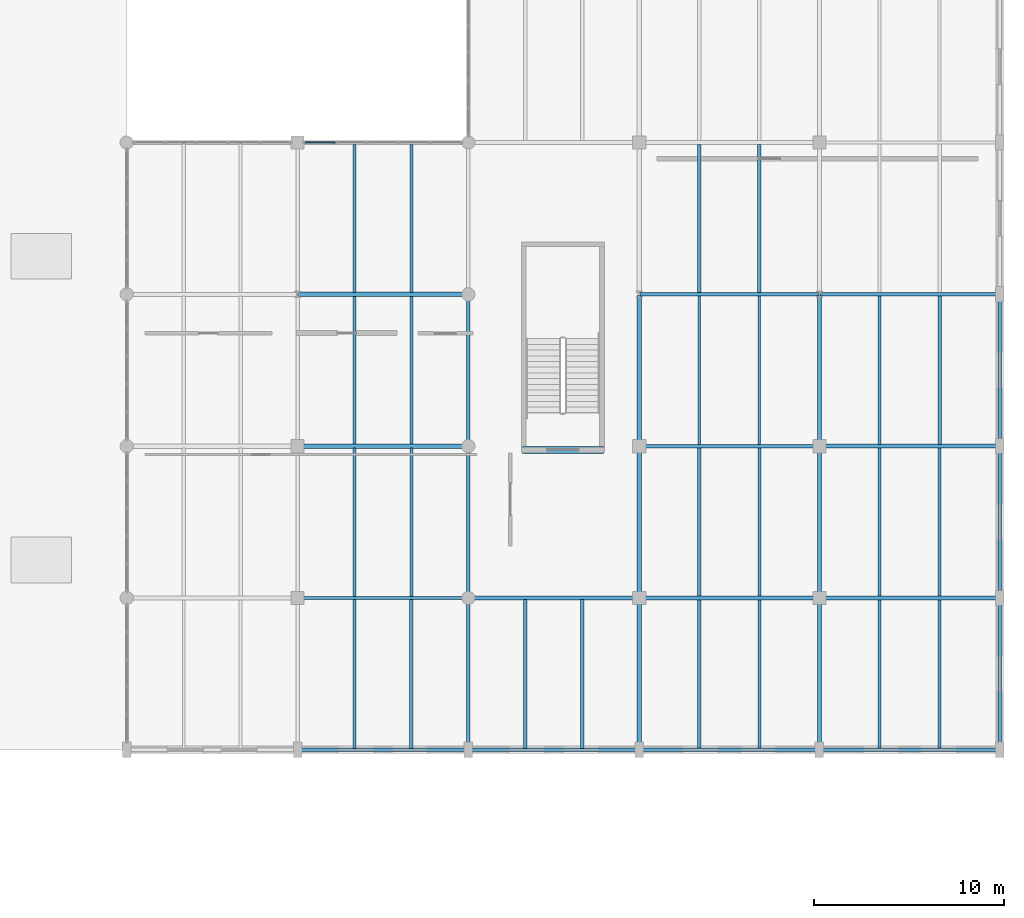
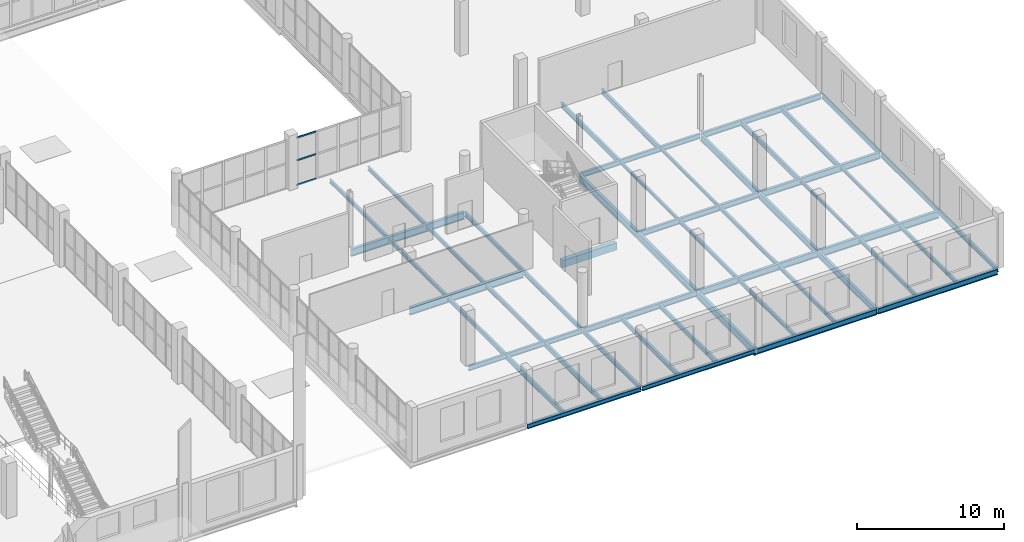
# One storey, part 50 of 93: 51 beams, 3 members, 1 element without a shape of its own.
"""IFC4 building model written with IfcOpenShell, lengths in metres."""

import ifcopenshell
import ifcopenshell.guid

model = None  # the IFC model being written
_history = None  # IfcOwnerHistory: only IFC2X3 demands one
_inside = {}  # id of a spatial element -> (the spatial element, [elements in it])
_under = {}  # id of a project, library or spatial element -> (it, [spatial elements below it])
_declared = {}  # id of a project -> (the project, [libraries it declares])
_typed = {}  # id of a type object -> (the type object, [elements of that type])
_made_of = {}  # id of a material, layer set ... -> (it, [elements and type objects made of it])


def new_model(schema):
    """Start an empty IFC model of exactly this schema.

    Asked for "IFC4X3", IfcOpenShell would pick the latest addendum, in which some entities
    have other attributes; the version numbers below select the first issue.
    IFC2X3 requires an IfcOwnerHistory on every rooted entity: one is made here for all.
    """
    global model, _history
    if schema == "IFC4X3":
        model = ifcopenshell.file(schema_version=(4, 3, 0, 0))
    else:
        model = ifcopenshell.file(schema=schema)
    _inside.clear()
    _under.clear()
    _declared.clear()
    _typed.clear()
    _made_of.clear()
    _history = None
    if model.schema == "IFC2X3":
        org = make("IfcOrganization", Name="unknown")
        user = make(
            "IfcPersonAndOrganization",
            ThePerson=make("IfcPerson", FamilyName="unknown"),
            TheOrganization=org,
        )
        app = make(
            "IfcApplication",
            ApplicationDeveloper=org,
            Version="unknown",
            ApplicationFullName="unknown",
            ApplicationIdentifier="unknown",
        )
        _history = make(
            "IfcOwnerHistory",
            OwningUser=user,
            OwningApplication=app,
            ChangeAction="ADDED",
            CreationDate=0,
        )
    return model


def make(cls, **values):
    """One entity of the class cls with the attributes given. An attribute that is None is left unset."""
    return model.create_entity(
        cls, **{name: value for name, value in values.items() if value is not None}
    )


def rooted(cls, **values):
    """An entity with a GlobalId (a new one), such as an element, a storey or a relation."""
    return make(cls, GlobalId=ifcopenshell.guid.new(), OwnerHistory=_history, **values)


def si_unit(unit_type, name, prefix=None):
    """IfcSIUnit, for example si_unit("LENGTHUNIT", "METRE", prefix="MILLI")."""
    return make("IfcSIUnit", UnitType=unit_type, Prefix=prefix, Name=name)


def assignment(units):
    """IfcUnitAssignment: the units of a project."""
    return None if units is None else make("IfcUnitAssignment", Units=units)


def point(xyz):
    """IfcCartesianPoint."""
    return None if xyz is None else make("IfcCartesianPoint", Coordinates=xyz)


def direction(xyz):
    """IfcDirection."""
    return None if xyz is None else make("IfcDirection", DirectionRatios=xyz)


def frame(location, z_axis=None, x_axis=None):
    """IfcAxis2Placement3D, a coordinate frame: its origin and axes. An axis left out is left unset."""
    return make(
        "IfcAxis2Placement3D",
        Location=point(location),
        Axis=direction(z_axis),
        RefDirection=direction(x_axis),
    )


def frame_2d(location, x_axis=None):
    """IfcAxis2Placement2D, a coordinate frame in the plane: its origin and x axis."""
    return make(
        "IfcAxis2Placement2D", Location=point(location), RefDirection=direction(x_axis)
    )


def origin():
    """The frame at (0, 0, 0) with its axes left unset."""
    return frame((0.0, 0.0, 0.0))


def origin_2d():
    """The frame at (0, 0) in the plane with its x axis left unset."""
    return frame_2d((0.0, 0.0))


def place(relative_to, where):
    """IfcLocalPlacement: puts the frame where relative to a parent placement (None: the world)."""
    return make(
        "IfcLocalPlacement", PlacementRelTo=relative_to, RelativePlacement=where
    )


def context(
    kind, dimensions, precision=None, world=None, true_north=None, identifier=None
):
    """IfcGeometricRepresentationContext, for example the 3D "Model" context."""
    return make(
        "IfcGeometricRepresentationContext",
        ContextIdentifier=identifier,
        ContextType=kind,
        CoordinateSpaceDimension=dimensions,
        Precision=precision,
        WorldCoordinateSystem=world,
        TrueNorth=true_north,
    )


def subcontext(parent, identifier, kind, view, scale=None):
    """IfcGeometricRepresentationSubContext, for example "Body" below "Model"."""
    return make(
        "IfcGeometricRepresentationSubContext",
        ContextIdentifier=identifier,
        ContextType=kind,
        ParentContext=parent,
        TargetScale=scale,
        TargetView=view,
    )


def project(units=None, contexts=None):
    """IfcProject with its units and contexts."""
    return rooted(
        "IfcProject",
        Name="project",
        RepresentationContexts=contexts,
        UnitsInContext=assignment(units),
    )


def spatial(cls, under=None, at=None, **own):
    """A site, building, storey or space (cls), placed at a placement, below another one or the project."""
    s = rooted(cls, ObjectPlacement=at, **own)
    if under is not None:
        _under.setdefault(under.id(), (under, []))[1].append(s)
    return s


def profile(cls, at=None, kind="AREA", **sizes):
    """A parametric profile (cls). Its sizes go by their IFC names, for example OverallWidth=200.0."""
    return make(cls, ProfileType=kind, Position=at, **sizes)


def rectangle(**sizes):
    """IfcRectangleProfileDef."""
    return profile("IfcRectangleProfileDef", **sizes)


def i_section(**sizes):
    """IfcIShapeProfileDef."""
    return profile("IfcIShapeProfileDef", **sizes)


def extrude(swept, where, along, depth):
    """IfcExtrudedAreaSolid: the profile swept, set in the frame where, extruded along a direction by depth."""
    return make(
        "IfcExtrudedAreaSolid",
        SweptArea=swept,
        Position=where,
        ExtrudedDirection=direction(along),
        Depth=depth,
    )


def shape(context_of_items, identifier, shape_type, items):
    """IfcShapeRepresentation: the items that make up one representation, for example the "Body"."""
    return make(
        "IfcShapeRepresentation",
        ContextOfItems=context_of_items,
        RepresentationIdentifier=identifier,
        RepresentationType=shape_type,
        Items=items,
    )


def material(Name=None, Category=None):
    """IfcMaterial."""
    return make("IfcMaterial", Name=Name, Category=Category)


def layer(
    of_material, thickness, ventilated=None, Name=None, Category=None, Priority=None
):
    """IfcMaterialLayer: one layer of a wall or slab, of a material (None: an air gap)."""
    return make(
        "IfcMaterialLayer",
        Material=of_material,
        LayerThickness=thickness,
        IsVentilated=ventilated,
        Name=Name,
        Category=Category,
        Priority=Priority,
    )


def layer_set(layers, Name=None):
    """IfcMaterialLayerSet."""
    return make("IfcMaterialLayerSet", MaterialLayers=layers, LayerSetName=Name)


def material_profile(
    of_material, cross_section, Name=None, Category=None, Priority=None
):
    """IfcMaterialProfile: a cross section and its material."""
    return make(
        "IfcMaterialProfile",
        Name=Name,
        Material=of_material,
        Profile=cross_section,
        Priority=Priority,
        Category=Category,
    )


def profile_set(profiles, Name=None, composite=None):
    """IfcMaterialProfileSet."""
    return make(
        "IfcMaterialProfileSet",
        Name=Name,
        MaterialProfiles=profiles,
        CompositeProfile=composite,
    )


def made_of(thing, what):
    """Note that an element or type object is made of a material, layer set ...; save() writes the relation."""
    if what is not None:
        _made_of.setdefault(what.id(), (what, []))[1].append(thing)
    return thing


def type_object(cls, material=None, **own):
    """A type object (cls), such as IfcWallType, which elements share."""
    return made_of(rooted(cls, **own), material)


def element(
    cls,
    number,
    at=None,
    inside=None,
    cuts=None,
    type_object=None,
    material=None,
    context=None,
    identifier="Body",
    shape_type=None,
    held_by="IfcProductDefinitionShape",
    body=None,
    shapes=None,
    **own,
):
    """One element of the class cls, such as IfcWall. Its Tag is "e" and its number.

    at: its placement. inside: the storey or other place that contains it. cuts: it is an
    opening in that element (IfcRelVoidsElement). A single representation is given by context,
    identifier, shape_type and body (its items); several are given by shapes. held_by: the class
    of the entity that holds the representations. save() writes the other relations.
    """
    e = rooted(cls, Tag="e%d" % number, ObjectPlacement=at, **own)
    if body is not None:
        shapes = [shape(context, identifier, shape_type, body)]
    if shapes is not None:
        e.Representation = make(held_by, Representations=shapes)
    if inside is not None:
        _inside.setdefault(inside.id(), (inside, []))[1].append(e)
    if cuts is not None:
        rooted(
            "IfcRelVoidsElement", RelatingBuildingElement=cuts, RelatedOpeningElement=e
        )
    if type_object is not None:
        _typed.setdefault(type_object.id(), (type_object, []))[1].append(e)
    return made_of(e, material)


def aggregate(whole, parts):
    """IfcRelAggregates: a whole, such as a stair, and the parts it consists of."""
    return rooted("IfcRelAggregates", RelatingObject=whole, RelatedObjects=parts)


def save(model, path):
    """Write the relations noted so far, then the file.

    IfcRelAggregates (storeys below a building ...), IfcRelContainedInSpatialStructure (elements
    in a storey), IfcRelDefinesByType, IfcRelAssociatesMaterial and IfcRelDeclares: one each for
    every whole, place, type object, material and project.
    """
    for whole, parts in _under.values():
        aggregate(whole, parts)
    for where, things in _inside.values():
        rooted(
            "IfcRelContainedInSpatialStructure",
            RelatedElements=things,
            RelatingStructure=where,
        )
    for kind, things in _typed.values():
        rooted("IfcRelDefinesByType", RelatedObjects=things, RelatingType=kind)
    for what, things in _made_of.values():
        rooted("IfcRelAssociatesMaterial", RelatedObjects=things, RelatingMaterial=what)
    for by, libraries in _declared.values():
        rooted("IfcRelDeclares", RelatingContext=by, RelatedDefinitions=libraries)
    model.write(path)


model = new_model("IFC4")

# Units and contexts
model_context = context("Model", 3, precision=1e-05, world=origin(), true_north=direction((0.0, 1.0)))
body_context = subcontext(model_context, "Body", "Model", "MODEL_VIEW")
ifc_project = project(units=[si_unit("LENGTHUNIT", "METRE"), si_unit("AREAUNIT", "SQUARE_METRE"), si_unit("VOLUMEUNIT", "CUBIC_METRE"), si_unit("PLANEANGLEUNIT", "RADIAN"), si_unit("MASSUNIT", "GRAM", prefix="KILO")], contexts=[model_context])

# Site, building, storey
site_placement = place(None, origin())
site = spatial("IfcSite", under=ifc_project, at=site_placement, CompositionType="ELEMENT")
building_placement = place(site_placement, origin())
building = spatial("IfcBuilding", under=site, at=building_placement, Name="Marnock Terrace Opera House", CompositionType="ELEMENT")
storey_placement = place(building_placement, frame((0.0, 0.0, 5.39990234375)))
storey = spatial("IfcBuildingStorey", under=building, at=storey_placement, Name="L01", CompositionType="ELEMENT", Elevation=5.39990234375)

# Beams
ifc_material_1 = material(Name="Steel Grade 350 (AS/NZS 3679.1)", Category="steel")
ifc_material_profile_1 = material_profile(ifc_material_1, i_section(OverallWidth=0.1708984375, OverallDepth=0.355712890625, WebThickness=0.00732421875, FlangeThickness=0.011474609375, FilletRadius=0.011474609375, at=origin_2d()))
ifc_profile_set_1 = profile_set([ifc_material_profile_1], Name="Steel Grade 350 (AS/NZS 3679.1)")
beam_type_1 = type_object("IfcBeamType", Name="BM-GIRD-360", PredefinedType="BEAM", material=ifc_profile_set_1)
for number, where, z_axis, x_axis, name in (
    (1, (136.0, 8.050048828125, -0.457763671875), (0.0, 1.0, 0.0), (-1.0, 0.0, 0.0), "L01 girder (X=136.0, 8.0..16.0)"),
    (2, (136.0, 16.050048828125, -0.457763671875), (0.0, 1.0, 0.0), (-1.0, 0.0, 0.0), "L01 girder (X=136.0, 16.0..24.0)"),
    (3, (136.0, 24.050048828125, -0.457763671875), (0.0, 1.0, 0.0), (-1.0, 0.0, 0.0), "L01 girder (X=136.0, 24.0..32.0)"),
):
    element("IfcBeam", number, at=place(storey_placement, frame(where, z_axis=z_axis, x_axis=x_axis)), inside=storey, type_object=beam_type_1, Name=name, PredefinedType="BEAM", context=body_context, shape_type="SweptSolid", body=[
        extrude(i_section(OverallWidth=0.1708984375, OverallDepth=0.355712890625, WebThickness=0.00732421875, FlangeThickness=0.011474609375, FilletRadius=0.011474609375, at=origin_2d()), origin(), (0.0, 0.0, 1.0), 7.89990234375),
    ])
ifc_material_profile_2 = material_profile(ifc_material_1, i_section(OverallWidth=0.177978515625, OverallDepth=0.402587890625, WebThickness=0.007568359375, FlangeThickness=0.010986328125, FilletRadius=0.011474609375, at=origin_2d()))
ifc_profile_set_2 = profile_set([ifc_material_profile_2], Name="Steel Grade 350 (AS/NZS 3679.1)")
beam_type_2 = type_object("IfcBeamType", Name="BM-GIRD-410", PredefinedType="BEAM", material=ifc_profile_set_2)
beam_1_placement = place(storey_placement, frame((127.050048828125, 16.0, -0.481201171875), z_axis=(1.0, 0.0, 0.0), x_axis=(0.0, 1.0, 0.0)))
element("IfcBeam", 4, at=beam_1_placement, inside=storey, type_object=beam_type_2, Name="L01 girder (127.0..136.0, Y=16.0)", PredefinedType="BEAM", context=body_context, shape_type="SweptSolid", body=[
    extrude(i_section(OverallWidth=0.177978515625, OverallDepth=0.402587890625, WebThickness=0.007568359375, FlangeThickness=0.010986328125, FilletRadius=0.011474609375, at=origin_2d()), origin(), (0.0, 0.0, 1.0), 8.89990234375),
])
beam_2_placement = place(storey_placement, frame((145.050048828125, 32.0, -0.481201171875), z_axis=(1.0, 0.0, 0.0), x_axis=(0.0, 1.0, 0.0)))
element("IfcBeam", 5, at=beam_2_placement, inside=storey, type_object=beam_type_2, Name="L01 girder (145.0..154.5, Y=32.0)", PredefinedType="BEAM", context=body_context, shape_type="SweptSolid", body=[
    extrude(i_section(OverallWidth=0.177978515625, OverallDepth=0.402587890625, WebThickness=0.007568359375, FlangeThickness=0.010986328125, FilletRadius=0.011474609375, at=origin_2d()), origin(), (0.0, 0.0, 1.0), 9.39990234375),
])
ifc_material_profile_3 = material_profile(ifc_material_1, i_section(OverallWidth=0.19091796875, OverallDepth=0.46044921875, WebThickness=0.010009765625, FlangeThickness=0.01611328125, FilletRadius=0.011474609375, at=origin_2d()))
ifc_profile_set_3 = profile_set([ifc_material_profile_3], Name="Steel Grade 350 (AS/NZS 3679.1)")
beam_type_3 = type_object("IfcBeamType", Name="BM-GIRD-460A", PredefinedType="BEAM", material=ifc_profile_set_3)
beam_3_placement = place(storey_placement, frame((136.050048828125, 16.0, -0.510009765625), z_axis=(1.0, 0.0, 0.0), x_axis=(0.0, 1.0, 0.0)))
element("IfcBeam", 6, at=beam_3_placement, inside=storey, type_object=beam_type_3, Name="L01 girder (136.0..145.0, Y=16.0)", PredefinedType="BEAM", context=body_context, shape_type="SweptSolid", body=[
    extrude(i_section(OverallWidth=0.19091796875, OverallDepth=0.46044921875, WebThickness=0.010009765625, FlangeThickness=0.01611328125, FilletRadius=0.011474609375, at=origin_2d()), origin(), (0.0, 0.0, 1.0), 8.89990234375),
])
for number, where, z_axis, x_axis, name in (
    (7, (145.050048828125, 24.0, -0.510009765625), (1.0, 0.0, 0.0), (0.0, 1.0, 0.0), "L01 girder (145.0..154.5, Y=24.0)"),
    (8, (154.550048828125, 32.0, -0.510009765625), (1.0, 0.0, 0.0), (0.0, 1.0, 0.0), "L01 girder (154.5..164.0, Y=32.0)"),
):
    element("IfcBeam", number, at=place(storey_placement, frame(where, z_axis=z_axis, x_axis=x_axis)), inside=storey, type_object=beam_type_3, Name=name, PredefinedType="BEAM", context=body_context, shape_type="SweptSolid", body=[
        extrude(i_section(OverallWidth=0.19091796875, OverallDepth=0.46044921875, WebThickness=0.010009765625, FlangeThickness=0.01611328125, FilletRadius=0.011474609375, at=origin_2d()), origin(), (0.0, 0.0, 1.0), 9.39990234375),
    ])
ifc_material_profile_4 = material_profile(ifc_material_1, i_section(OverallWidth=0.208984375, OverallDepth=0.532958984375, WebThickness=0.01025390625, FlangeThickness=0.015625, FilletRadius=0.013916015625, at=origin_2d()))
ifc_profile_set_4 = profile_set([ifc_material_profile_4], Name="Steel Grade 350 (AS/NZS 3679.1)")
beam_type_4 = type_object("IfcBeamType", Name="BM-GIRD-530A", PredefinedType="BEAM", material=ifc_profile_set_4)
for number, where, z_axis, x_axis, name in (
    (9, (145.050048828125, 16.0, -0.54638671875), (1.0, 0.0, 0.0), (0.0, 1.0, 0.0), "L01 girder (145.0..154.5, Y=16.0)"),
    (10, (154.550048828125, 24.0, -0.54638671875), (1.0, 0.0, 0.0), (0.0, 1.0, 0.0), "L01 girder (154.5..164.0, Y=24.0)"),
):
    element("IfcBeam", number, at=place(storey_placement, frame(where, z_axis=z_axis, x_axis=x_axis)), inside=storey, type_object=beam_type_4, Name=name, PredefinedType="BEAM", context=body_context, shape_type="SweptSolid", body=[
        extrude(i_section(OverallWidth=0.208984375, OverallDepth=0.532958984375, WebThickness=0.01025390625, FlangeThickness=0.015625, FilletRadius=0.013916015625, at=origin_2d()), origin(), (0.0, 0.0, 1.0), 9.39990234375),
    ])
ifc_material_profile_5 = material_profile(ifc_material_1, i_section(OverallWidth=0.208984375, OverallDepth=0.528076171875, WebThickness=0.009521484375, FlangeThickness=0.01318359375, FilletRadius=0.013916015625, at=origin_2d()))
ifc_profile_set_5 = profile_set([ifc_material_profile_5], Name="Steel Grade 350 (AS/NZS 3679.1)")
beam_type_5 = type_object("IfcBeamType", Name="BM-GIRD-530B", PredefinedType="BEAM", material=ifc_profile_set_5)
for number, where, z_axis, x_axis, name in (
    (11, (154.5, 8.050048828125, -0.5439453125), (0.0, 1.0, 0.0), (-1.0, 0.0, 0.0), "L01 girder (X=154.5, 8.0..16.0)"),
    (12, (154.5, 16.050048828125, -0.5439453125), (0.0, 1.0, 0.0), (-1.0, 0.0, 0.0), "L01 girder (X=154.5, 16.0..24.0)"),
    (13, (154.5, 24.050048828125, -0.5439453125), (0.0, 1.0, 0.0), (-1.0, 0.0, 0.0), "L01 girder (X=154.5, 24.0..32.0)"),
):
    element("IfcBeam", number, at=place(storey_placement, frame(where, z_axis=z_axis, x_axis=x_axis)), inside=storey, type_object=beam_type_5, Name=name, PredefinedType="BEAM", context=body_context, shape_type="SweptSolid", body=[
        extrude(i_section(OverallWidth=0.208984375, OverallDepth=0.528076171875, WebThickness=0.009521484375, FlangeThickness=0.01318359375, FilletRadius=0.013916015625, at=origin_2d()), origin(), (0.0, 0.0, 1.0), 7.89990234375),
    ])
ifc_material_profile_6 = material_profile(ifc_material_1, i_section(OverallWidth=0.22900390625, OverallDepth=0.611572265625, WebThickness=0.011962890625, FlangeThickness=0.01953125, FilletRadius=0.013916015625, at=origin_2d()))
ifc_profile_set_6 = profile_set([ifc_material_profile_6], Name="Steel Grade 350 (AS/NZS 3679.1)")
beam_type_6 = type_object("IfcBeamType", Name="BM-GIRD-610A", PredefinedType="BEAM", material=ifc_profile_set_6)
beam_4_placement = place(storey_placement, frame((127.050048828125, 24.0, -0.585693359375), z_axis=(1.0, 0.0, 0.0), x_axis=(0.0, 1.0, 0.0)))
element("IfcBeam", 14, at=beam_4_placement, inside=storey, type_object=beam_type_6, Name="L01 girder (127.0..136.0, Y=24.0)", PredefinedType="BEAM", context=body_context, shape_type="SweptSolid", body=[
    extrude(i_section(OverallWidth=0.22900390625, OverallDepth=0.611572265625, WebThickness=0.011962890625, FlangeThickness=0.01953125, FilletRadius=0.013916015625, at=origin_2d()), origin(), (0.0, 0.0, 1.0), 8.89990234375),
])
ifc_material_profile_7 = material_profile(ifc_material_1, i_section(OverallWidth=0.22802734375, OverallDepth=0.60693359375, WebThickness=0.01123046875, FlangeThickness=0.017333984375, FilletRadius=0.013916015625, at=origin_2d()))
ifc_profile_set_7 = profile_set([ifc_material_profile_7], Name="Steel Grade 350 (AS/NZS 3679.1)")
beam_type_7 = type_object("IfcBeamType", Name="BM-GIRD-610B", PredefinedType="BEAM", material=ifc_profile_set_7)
beam_5_placement = place(storey_placement, frame((154.550048828125, 16.0, -0.58349609375), z_axis=(1.0, 0.0, 0.0), x_axis=(0.0, 1.0, 0.0)))
element("IfcBeam", 15, at=beam_5_placement, inside=storey, type_object=beam_type_7, Name="L01 girder (154.5..164.0, Y=16.0)", PredefinedType="BEAM", context=body_context, shape_type="SweptSolid", body=[
    extrude(i_section(OverallWidth=0.22802734375, OverallDepth=0.60693359375, WebThickness=0.01123046875, FlangeThickness=0.017333984375, FilletRadius=0.013916015625, at=origin_2d()), origin(), (0.0, 0.0, 1.0), 9.39990234375),
])
beam_6_placement = place(storey_placement, frame((127.050048828125, 32.0, -0.58349609375), z_axis=(1.0, 0.0, 0.0), x_axis=(0.0, 1.0, 0.0)))
element("IfcBeam", 16, at=beam_6_placement, inside=storey, type_object=beam_type_7, Name="L01 girder (127.0..136.0, Y=32.0)", PredefinedType="BEAM", context=body_context, shape_type="SweptSolid", body=[
    extrude(i_section(OverallWidth=0.22802734375, OverallDepth=0.60693359375, WebThickness=0.01123046875, FlangeThickness=0.017333984375, FilletRadius=0.013916015625, at=origin_2d()), origin(), (0.0, 0.0, 1.0), 8.89990234375),
])
ifc_material_profile_8 = material_profile(ifc_material_1, i_section(OverallWidth=0.22802734375, OverallDepth=0.60205078125, WebThickness=0.010498046875, FlangeThickness=0.014892578125, FilletRadius=0.013916015625, at=origin_2d()))
ifc_profile_set_8 = profile_set([ifc_material_profile_8], Name="Steel Grade 350 (AS/NZS 3679.1)")
beam_type_8 = type_object("IfcBeamType", Name="BM-GIRD-610C", PredefinedType="BEAM", material=ifc_profile_set_8)
for number, where, z_axis, x_axis, name in (
    (17, (145.0, 8.050048828125, -0.580810546875), (0.0, 1.0, 0.0), (-1.0, 0.0, 0.0), "L01 girder (X=145.0, 8.0..16.0)"),
    (18, (145.0, 16.050048828125, -0.580810546875), (0.0, 1.0, 0.0), (-1.0, 0.0, 0.0), "L01 girder (X=145.0, 16.0..24.0)"),
    (19, (145.0, 24.050048828125, -0.580810546875), (0.0, 1.0, 0.0), (-1.0, 0.0, 0.0), "L01 girder (X=145.0, 24.0..32.0)"),
):
    element("IfcBeam", number, at=place(storey_placement, frame(where, z_axis=z_axis, x_axis=x_axis)), inside=storey, type_object=beam_type_8, Name=name, PredefinedType="BEAM", context=body_context, shape_type="SweptSolid", body=[
        extrude(i_section(OverallWidth=0.22802734375, OverallDepth=0.60205078125, WebThickness=0.010498046875, FlangeThickness=0.014892578125, FilletRadius=0.013916015625, at=origin_2d()), origin(), (0.0, 0.0, 1.0), 7.89990234375),
    ])
ifc_material_profile_9 = material_profile(ifc_material_1, i_section(OverallWidth=0.14599609375, OverallDepth=0.256103515625, WebThickness=0.00634765625, FlangeThickness=0.010986328125, FilletRadius=0.0087890625, at=origin_2d()))
ifc_profile_set_9 = profile_set([ifc_material_profile_9], Name="Steel Grade 350 (AS/NZS 3679.1)")
beam_type_9 = type_object("IfcBeamType", Name="BM-JOIST-250", PredefinedType="JOIST", material=ifc_profile_set_9)
for number, where, z_axis, x_axis, name in (
    (20, (148.166748046875, 24.090576171875, -0.407958984375), (0.0, 1.0, 0.0), (-1.0, 0.0, 0.0), "L01 secondary joist 16.3.1"),
    (21, (151.333251953125, 24.090576171875, -0.407958984375), (0.0, 1.0, 0.0), (-1.0, 0.0, 0.0), "L01 secondary joist 16.3.2"),
):
    element("IfcBeam", number, at=place(storey_placement, frame(where, z_axis=z_axis, x_axis=x_axis)), inside=storey, type_object=beam_type_9, Name=name, PredefinedType="JOIST", context=body_context, shape_type="SweptSolid", body=[
        extrude(i_section(OverallWidth=0.14599609375, OverallDepth=0.256103515625, WebThickness=0.00634765625, FlangeThickness=0.010986328125, FilletRadius=0.0087890625, at=origin_2d()), origin(), (0.0, 0.0, 1.0), 7.825439453125),
    ])
for number, where, z_axis, x_axis, name in (
    (22, (157.666748046875, 16.10888671875, -0.407958984375), (0.0, 1.0, 0.0), (-1.0, 0.0, 0.0), "L01 secondary joist 17.2.1"),
    (23, (160.833251953125, 16.10888671875, -0.407958984375), (0.0, 1.0, 0.0), (-1.0, 0.0, 0.0), "L01 secondary joist 17.2.2"),
):
    element("IfcBeam", number, at=place(storey_placement, frame(where, z_axis=z_axis, x_axis=x_axis)), inside=storey, type_object=beam_type_9, Name=name, PredefinedType="JOIST", context=body_context, shape_type="SweptSolid", body=[
        extrude(i_section(OverallWidth=0.14599609375, OverallDepth=0.256103515625, WebThickness=0.00634765625, FlangeThickness=0.010986328125, FilletRadius=0.0087890625, at=origin_2d()), origin(), (0.0, 0.0, 1.0), 7.79150390625),
    ])
ifc_material_profile_10 = material_profile(ifc_material_1, i_section(OverallWidth=0.166015625, OverallDepth=0.30712890625, WebThickness=0.006591796875, FlangeThickness=0.01171875, FilletRadius=0.011474609375, at=origin_2d()))
ifc_profile_set_10 = profile_set([ifc_material_profile_10], Name="Steel Grade 350 (AS/NZS 3679.1)")
beam_type_10 = type_object("IfcBeamType", Name="BM-JOIST-310A", PredefinedType="JOIST", material=ifc_profile_set_10)
for number, where, z_axis, x_axis, name in (
    (24, (130.0, 24.109619140625, -0.43359375), (0.0, 1.0, 0.0), (-1.0, 0.0, 0.0), "L01 secondary joist 14.3.1"),
    (25, (133.0, 24.109619140625, -0.43359375), (0.0, 1.0, 0.0), (-1.0, 0.0, 0.0), "L01 secondary joist 14.3.2"),
):
    element("IfcBeam", number, at=place(storey_placement, frame(where, z_axis=z_axis, x_axis=x_axis)), inside=storey, type_object=beam_type_10, Name=name, PredefinedType="JOIST", context=body_context, shape_type="SweptSolid", body=[
        extrude(i_section(OverallWidth=0.166015625, OverallDepth=0.30712890625, WebThickness=0.006591796875, FlangeThickness=0.01171875, FilletRadius=0.011474609375, at=origin_2d()), origin(), (0.0, 0.0, 1.0), 7.781494140625),
    ])
for number, where, z_axis, x_axis, name in (
    (26, (148.166748046875, 8.090576171875, -0.43359375), (0.0, 1.0, 0.0), (-1.0, 0.0, 0.0), "L01 secondary joist 16.1.1"),
    (27, (151.333251953125, 8.090576171875, -0.43359375), (0.0, 1.0, 0.0), (-1.0, 0.0, 0.0), "L01 secondary joist 16.1.2"),
):
    element("IfcBeam", number, at=place(storey_placement, frame(where, z_axis=z_axis, x_axis=x_axis)), inside=storey, type_object=beam_type_10, Name=name, PredefinedType="JOIST", context=body_context, shape_type="SweptSolid", body=[
        extrude(i_section(OverallWidth=0.166015625, OverallDepth=0.30712890625, WebThickness=0.006591796875, FlangeThickness=0.01171875, FilletRadius=0.011474609375, at=origin_2d()), origin(), (0.0, 0.0, 1.0), 7.809814453125),
    ])
ifc_material_profile_11 = material_profile(ifc_material_1, i_section(OverallWidth=0.1650390625, OverallDepth=0.3037109375, WebThickness=0.006103515625, FlangeThickness=0.01025390625, FilletRadius=0.011474609375, at=origin_2d()))
ifc_profile_set_11 = profile_set([ifc_material_profile_11], Name="Steel Grade 350 (AS/NZS 3679.1)")
beam_type_11 = type_object("IfcBeamType", Name="BM-JOIST-310B", PredefinedType="JOIST", material=ifc_profile_set_11)
for number, where, z_axis, x_axis, name in (
    (28, (130.0, 32.10888671875, -0.431884765625), (0.0, 1.0, 0.0), (-1.0, 0.0, 0.0), "L01 secondary joist 14.4.1"),
    (29, (133.0, 32.10888671875, -0.431884765625), (0.0, 1.0, 0.0), (-1.0, 0.0, 0.0), "L01 secondary joist 14.4.2"),
):
    element("IfcBeam", number, at=place(storey_placement, frame(where, z_axis=z_axis, x_axis=x_axis)), inside=storey, type_object=beam_type_11, Name=name, PredefinedType="JOIST", context=body_context, shape_type="SweptSolid", body=[
        extrude(i_section(OverallWidth=0.1650390625, OverallDepth=0.3037109375, WebThickness=0.006103515625, FlangeThickness=0.01025390625, FilletRadius=0.011474609375, at=origin_2d()), origin(), (0.0, 0.0, 1.0), 7.79150390625),
    ])
for number, where, z_axis, x_axis, name in (
    (30, (148.166748046875, 16.099609375, -0.431884765625), (0.0, 1.0, 0.0), (-1.0, 0.0, 0.0), "L01 secondary joist 16.2.1"),
    (31, (151.333251953125, 16.099609375, -0.431884765625), (0.0, 1.0, 0.0), (-1.0, 0.0, 0.0), "L01 secondary joist 16.2.2"),
):
    element("IfcBeam", number, at=place(storey_placement, frame(where, z_axis=z_axis, x_axis=x_axis)), inside=storey, type_object=beam_type_11, Name=name, PredefinedType="JOIST", context=body_context, shape_type="SweptSolid", body=[
        extrude(i_section(OverallWidth=0.1650390625, OverallDepth=0.3037109375, WebThickness=0.006103515625, FlangeThickness=0.01025390625, FilletRadius=0.011474609375, at=origin_2d()), origin(), (0.0, 0.0, 1.0), 7.809814453125),
    ])
for number, where, z_axis, x_axis, name in (
    (32, (157.666748046875, 8.090576171875, -0.431884765625), (0.0, 1.0, 0.0), (-1.0, 0.0, 0.0), "L01 secondary joist 17.1.1"),
    (33, (160.833251953125, 8.090576171875, -0.431884765625), (0.0, 1.0, 0.0), (-1.0, 0.0, 0.0), "L01 secondary joist 17.1.2"),
):
    element("IfcBeam", number, at=place(storey_placement, frame(where, z_axis=z_axis, x_axis=x_axis)), inside=storey, type_object=beam_type_11, Name=name, PredefinedType="JOIST", context=body_context, shape_type="SweptSolid", body=[
        extrude(i_section(OverallWidth=0.1650390625, OverallDepth=0.3037109375, WebThickness=0.006103515625, FlangeThickness=0.01025390625, FilletRadius=0.011474609375, at=origin_2d()), origin(), (0.0, 0.0, 1.0), 7.800537109375),
    ])
ifc_material_profile_12 = material_profile(ifc_material_1, i_section(OverallWidth=0.172119140625, OverallDepth=0.358642578125, WebThickness=0.008056640625, FlangeThickness=0.012939453125, FilletRadius=0.011474609375, at=origin_2d()))
ifc_profile_set_12 = profile_set([ifc_material_profile_12], Name="Steel Grade 350 (AS/NZS 3679.1)")
beam_type_12 = type_object("IfcBeamType", Name="BM-JOIST-360", PredefinedType="JOIST", material=ifc_profile_set_12)
for number, where, z_axis, x_axis, name in (
    (34, (130.0, 16.083984375, -0.459228515625), (0.0, 1.0, 0.0), (-1.0, 0.0, 0.0), "L01 secondary joist 14.2.1"),
    (35, (133.0, 16.083984375, -0.459228515625), (0.0, 1.0, 0.0), (-1.0, 0.0, 0.0), "L01 secondary joist 14.2.2"),
):
    element("IfcBeam", number, at=place(storey_placement, frame(where, z_axis=z_axis, x_axis=x_axis)), inside=storey, type_object=beam_type_12, Name=name, PredefinedType="JOIST", context=body_context, shape_type="SweptSolid", body=[
        extrude(i_section(OverallWidth=0.172119140625, OverallDepth=0.358642578125, WebThickness=0.008056640625, FlangeThickness=0.012939453125, FilletRadius=0.011474609375, at=origin_2d()), origin(), (0.0, 0.0, 1.0), 7.806396484375),
    ])
for number, where, z_axis, x_axis, name in (
    (36, (139.0, 8.0810546875, -0.459228515625), (0.0, 1.0, 0.0), (-1.0, 0.0, 0.0), "L01 secondary joist 15.1.1"),
    (37, (142.0, 8.0810546875, -0.459228515625), (0.0, 1.0, 0.0), (-1.0, 0.0, 0.0), "L01 secondary joist 15.1.2"),
):
    element("IfcBeam", number, at=place(storey_placement, frame(where, z_axis=z_axis, x_axis=x_axis)), inside=storey, type_object=beam_type_12, Name=name, PredefinedType="JOIST", context=body_context, shape_type="SweptSolid", body=[
        extrude(i_section(OverallWidth=0.172119140625, OverallDepth=0.358642578125, WebThickness=0.008056640625, FlangeThickness=0.012939453125, FilletRadius=0.011474609375, at=origin_2d()), origin(), (0.0, 0.0, 1.0), 7.828369140625),
    ])
ifc_material_profile_13 = material_profile(ifc_material_1, i_section(OverallWidth=0.177978515625, OverallDepth=0.406494140625, WebThickness=0.0078125, FlangeThickness=0.0126953125, FilletRadius=0.011474609375, at=origin_2d()))
ifc_profile_set_13 = profile_set([ifc_material_profile_13], Name="Steel Grade 350 (AS/NZS 3679.1)")
beam_type_13 = type_object("IfcBeamType", Name="BM-JOIST-410", PredefinedType="JOIST", material=ifc_profile_set_13)
for number, where, z_axis, x_axis, name in (
    (38, (130.0, 8.0810546875, -0.483154296875), (0.0, 1.0, 0.0), (-1.0, 0.0, 0.0), "L01 secondary joist 14.1.1"),
    (39, (133.0, 8.0810546875, -0.483154296875), (0.0, 1.0, 0.0), (-1.0, 0.0, 0.0), "L01 secondary joist 14.1.2"),
):
    element("IfcBeam", number, at=place(storey_placement, frame(where, z_axis=z_axis, x_axis=x_axis)), inside=storey, type_object=beam_type_13, Name=name, PredefinedType="JOIST", context=body_context, shape_type="SweptSolid", body=[
        extrude(i_section(OverallWidth=0.177978515625, OverallDepth=0.406494140625, WebThickness=0.0078125, FlangeThickness=0.0126953125, FilletRadius=0.011474609375, at=origin_2d()), origin(), (0.0, 0.0, 1.0), 7.8349609375),
    ])
for number, where, z_axis, x_axis, name in (
    (40, (148.166748046875, 32.083984375, -0.483154296875), (0.0, 1.0, 0.0), (-1.0, 0.0, 0.0), "L01 secondary joist 16.4.1"),
    (41, (151.333251953125, 32.083984375, -0.483154296875), (0.0, 1.0, 0.0), (-1.0, 0.0, 0.0), "L01 secondary joist 16.4.2"),
):
    element("IfcBeam", number, at=place(storey_placement, frame(where, z_axis=z_axis, x_axis=x_axis)), inside=storey, type_object=beam_type_13, Name=name, PredefinedType="JOIST", context=body_context, shape_type="SweptSolid", body=[
        extrude(i_section(OverallWidth=0.177978515625, OverallDepth=0.406494140625, WebThickness=0.0078125, FlangeThickness=0.0126953125, FilletRadius=0.011474609375, at=origin_2d()), origin(), (0.0, 0.0, 1.0), 7.806396484375),
    ])
for number, where, z_axis, x_axis, name in (
    (42, (157.666748046875, 24.099609375, -0.483154296875), (0.0, 1.0, 0.0), (-1.0, 0.0, 0.0), "L01 secondary joist 17.3.1"),
    (43, (160.833251953125, 24.099609375, -0.483154296875), (0.0, 1.0, 0.0), (-1.0, 0.0, 0.0), "L01 secondary joist 17.3.2"),
):
    element("IfcBeam", number, at=place(storey_placement, frame(where, z_axis=z_axis, x_axis=x_axis)), inside=storey, type_object=beam_type_13, Name=name, PredefinedType="JOIST", context=body_context, shape_type="SweptSolid", body=[
        extrude(i_section(OverallWidth=0.177978515625, OverallDepth=0.406494140625, WebThickness=0.0078125, FlangeThickness=0.0126953125, FilletRadius=0.011474609375, at=origin_2d()), origin(), (0.0, 0.0, 1.0), 7.809814453125),
    ])
ifc_material_2 = material(Name="Concrete N40 (f'c = 40 MPa)", Category="concrete")
ifc_material_profile_14 = material_profile(ifc_material_2, rectangle(XDim=0.35009765625, YDim=0.60009765625, at=origin_2d()))
ifc_profile_set_14 = profile_set([ifc_material_profile_14], Name="Concrete N40 (f'c = 40 MPa)")
beam_type_14 = type_object("IfcBeamType", Name="BM-LINT-RC350", PredefinedType="LINTEL", material=ifc_profile_set_14)
beam_7_placement = place(storey_placement, frame((138.840087890625, 23.800048828125, -0.6298828125), z_axis=(1.0, 0.0, 0.0), x_axis=(0.0, 1.0, 0.0)))
element("IfcBeam", 44, at=beam_7_placement, inside=storey, type_object=beam_type_14, Name="L00 Core C6 coupling lintel", PredefinedType="LINTEL", context=body_context, shape_type="SweptSolid", body=[
    extrude(rectangle(XDim=0.35009765625, YDim=0.60009765625, at=origin_2d()), origin(), (0.0, 0.0, 1.0), 4.280029296875),
])
ifc_material_profile_15 = material_profile(ifc_material_1, i_section(OverallWidth=0.172119140625, OverallDepth=0.358642578125, WebThickness=0.008056640625, FlangeThickness=0.012939453125, FilletRadius=0.011474609375, at=origin_2d()))
ifc_profile_set_15 = profile_set([ifc_material_profile_15], Name="Steel Grade 350 (AS/NZS 3679.1)")
beam_type_15 = type_object("IfcBeamType", Name="BM-SPAN-360", PredefinedType="SPANDREL", material=ifc_profile_set_15)
for number, where, z_axis, x_axis, name in (
    (45, (127.050048828125, 8.0, -0.459228515625), (1.0, 0.0, 0.0), (0.0, 1.0, 0.0), "L01 girder (127.0..136.0, Y=8.0)"),
    (46, (136.050048828125, 8.0, -0.459228515625), (1.0, 0.0, 0.0), (0.0, 1.0, 0.0), "L01 girder (136.0..145.0, Y=8.0)"),
):
    element("IfcBeam", number, at=place(storey_placement, frame(where, z_axis=z_axis, x_axis=x_axis)), inside=storey, type_object=beam_type_15, Name=name, PredefinedType="SPANDREL", context=body_context, shape_type="SweptSolid", body=[
        extrude(i_section(OverallWidth=0.172119140625, OverallDepth=0.358642578125, WebThickness=0.008056640625, FlangeThickness=0.012939453125, FilletRadius=0.011474609375, at=origin_2d()), origin(), (0.0, 0.0, 1.0), 8.89990234375),
    ])
for number, where, z_axis, x_axis, name in (
    (47, (164.0, 8.050048828125, -0.459228515625), (0.0, 1.0, 0.0), (-1.0, 0.0, 0.0), "L01 girder (X=164.0, 8.0..16.0)"),
    (48, (164.0, 16.050048828125, -0.459228515625), (0.0, 1.0, 0.0), (-1.0, 0.0, 0.0), "L01 girder (X=164.0, 16.0..24.0)"),
    (49, (164.0, 24.050048828125, -0.459228515625), (0.0, 1.0, 0.0), (-1.0, 0.0, 0.0), "L01 girder (X=164.0, 24.0..32.0)"),
):
    element("IfcBeam", number, at=place(storey_placement, frame(where, z_axis=z_axis, x_axis=x_axis)), inside=storey, type_object=beam_type_15, Name=name, PredefinedType="SPANDREL", context=body_context, shape_type="SweptSolid", body=[
        extrude(i_section(OverallWidth=0.172119140625, OverallDepth=0.358642578125, WebThickness=0.008056640625, FlangeThickness=0.012939453125, FilletRadius=0.011474609375, at=origin_2d()), origin(), (0.0, 0.0, 1.0), 7.89990234375),
    ])
ifc_material_profile_16 = material_profile(ifc_material_1, i_section(OverallWidth=0.19091796875, OverallDepth=0.46044921875, WebThickness=0.010009765625, FlangeThickness=0.01611328125, FilletRadius=0.011474609375, at=origin_2d()))
ifc_profile_set_16 = profile_set([ifc_material_profile_16], Name="Steel Grade 350 (AS/NZS 3679.1)")
beam_type_16 = type_object("IfcBeamType", Name="BM-SPAN-460", PredefinedType="SPANDREL", material=ifc_profile_set_16)
for number, where, z_axis, x_axis, name in (
    (50, (145.050048828125, 8.0, -0.510009765625), (1.0, 0.0, 0.0), (0.0, 1.0, 0.0), "L01 girder (145.0..154.5, Y=8.0)"),
    (51, (154.550048828125, 8.0, -0.510009765625), (1.0, 0.0, 0.0), (0.0, 1.0, 0.0), "L01 girder (154.5..164.0, Y=8.0)"),
):
    element("IfcBeam", number, at=place(storey_placement, frame(where, z_axis=z_axis, x_axis=x_axis)), inside=storey, type_object=beam_type_16, Name=name, PredefinedType="SPANDREL", context=body_context, shape_type="SweptSolid", body=[
        extrude(i_section(OverallWidth=0.19091796875, OverallDepth=0.46044921875, WebThickness=0.010009765625, FlangeThickness=0.01611328125, FilletRadius=0.011474609375, at=origin_2d()), origin(), (0.0, 0.0, 1.0), 9.39990234375),
    ])

# Curtain wall, members
ifc_material_3 = material(Name="Anodised architectural bronze aluminium framing", Category="aluminium")
ifc_layer = layer(ifc_material_3, 0.159912109375)
ifc_layer_set = layer_set([ifc_layer], Name="Anodised architectural bronze aluminium framing")
curtain_wall_type = type_object("IfcCurtainWallType", Name="CW-LOGGIA-86x45", PredefinedType="NOTDEFINED", material=ifc_layer_set)
curtain_wall_placement = place(storey_placement, origin())
curtain_wall = element("IfcCurtainWall", 52, at=curtain_wall_placement, inside=storey, type_object=curtain_wall_type, Name="L01 glazed Beaux-Arts colonnade curtain wall CW-V5-L01-CS2", PredefinedType="NOTDEFINED")
ifc_material_profile_17 = material_profile(ifc_material_3, rectangle(XDim=0.06005859375, YDim=0.1298828125, at=origin_2d()))
ifc_profile_set_17 = profile_set([ifc_material_profile_17], Name="Anodised architectural bronze aluminium framing")
member_type = type_object("IfcMemberType", Name="CWT-60x130", PredefinedType="USERDEFINED", material=ifc_profile_set_17)
member_1_placement = place(storey_placement, frame((127.406005859375, 40.0, 0.030029296875), z_axis=(1.0, 0.0, 0.0), x_axis=(0.0, 1.0, 0.0)))
member_1 = element("IfcMember", 53, at=member_1_placement, type_object=member_type, Name="CW-61 transom 1.1", ObjectType="TRANSOM", PredefinedType="USERDEFINED", context=body_context, shape_type="SweptSolid", body=[
    extrude(rectangle(XDim=0.06005859375, YDim=0.1298828125, at=origin_2d()), origin(), (0.0, 0.0, 1.0), 1.571533203125),
])
member_2_placement = place(storey_placement, frame((127.406005859375, 40.0, 2.068115234375), z_axis=(1.0, 0.0, 0.0), x_axis=(0.0, 1.0, 0.0)))
member_2 = element("IfcMember", 54, at=member_2_placement, type_object=member_type, Name="CW-61 transom 1.2", ObjectType="TRANSOM", PredefinedType="USERDEFINED", context=body_context, shape_type="SweptSolid", body=[
    extrude(rectangle(XDim=0.06005859375, YDim=0.1298828125, at=origin_2d()), origin(), (0.0, 0.0, 1.0), 1.571533203125),
])
member_3_placement = place(storey_placement, frame((127.406005859375, 40.0, 3.947021484375), z_axis=(1.0, 0.0, 0.0), x_axis=(0.0, 1.0, 0.0)))
member_3 = element("IfcMember", 55, at=member_3_placement, type_object=member_type, Name="CW-61 transom 1.3", ObjectType="TRANSOM", PredefinedType="USERDEFINED", context=body_context, shape_type="SweptSolid", body=[
    extrude(rectangle(XDim=0.06005859375, YDim=0.1298828125, at=origin_2d()), origin(), (0.0, 0.0, 1.0), 1.571533203125),
])
aggregate(curtain_wall, [member_1, member_2, member_3])

save(model, "model.ifc")
